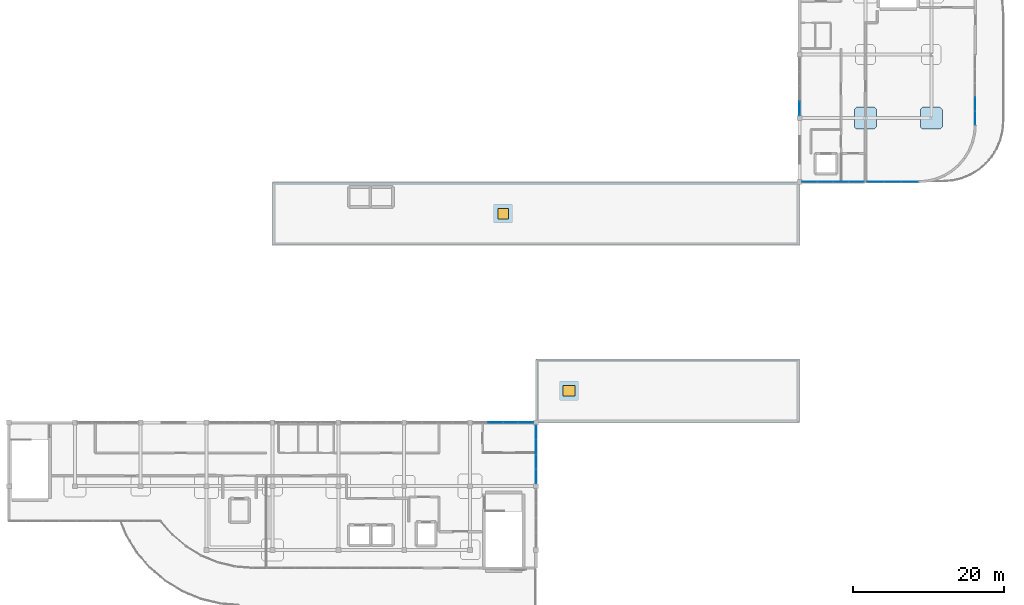
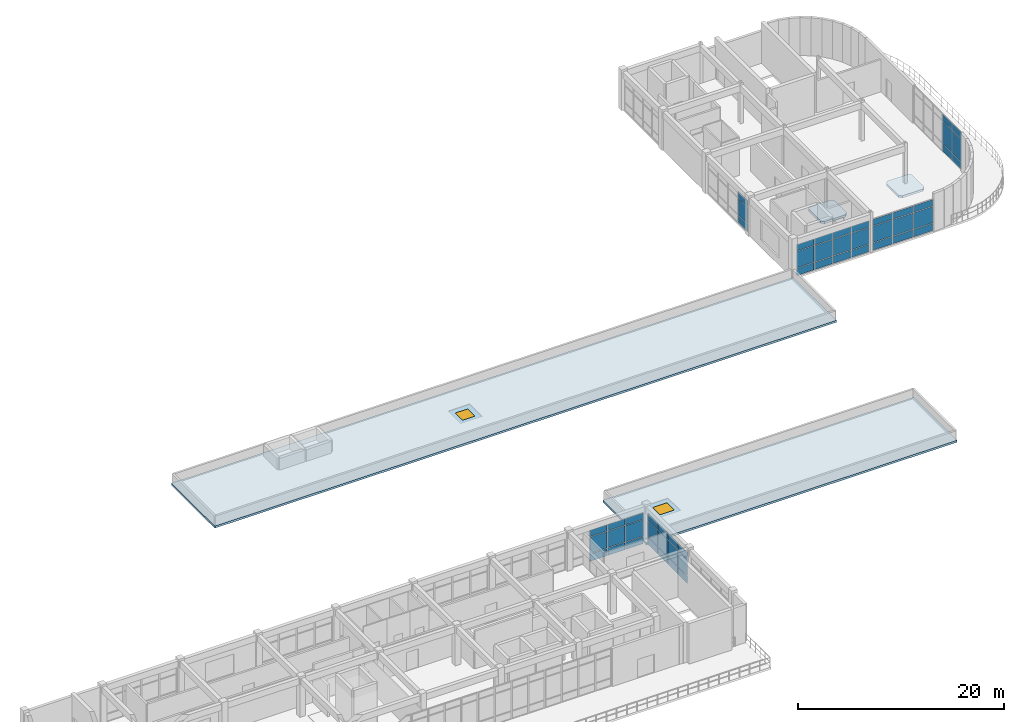
# One storey, part 34 of 41: 51 plates, 4 slabs, 2 windows, 2 openings, 6 elements without a shape of their own.
"""IFC4 building model written with IfcOpenShell, lengths in metres."""

from ifc_helpers import new_model, si_unit, derived_unit, direction, frame, origin, origin_2d, place, context, subcontext, project, spatial, polyline, rectangle, outline, extrude, material, layer, layer_set, type_object, element, fill, aggregate, save


model = new_model("IFC4")

# Units and contexts
model_context = context("Model", 3, precision=1e-05, world=origin(), true_north=direction((0.0, 1.0)))
body_context = subcontext(model_context, "Body", "Model", "MODEL_VIEW")
ifc_project = project(units=[si_unit("LENGTHUNIT", "METRE"), si_unit("AREAUNIT", "SQUARE_METRE"), si_unit("VOLUMEUNIT", "CUBIC_METRE"), si_unit("PLANEANGLEUNIT", "RADIAN"), si_unit("MASSUNIT", "GRAM", prefix="KILO"), derived_unit("THERMALTRANSMITTANCEUNIT", [(si_unit("MASSUNIT", "GRAM", prefix="KILO"), 1), (si_unit("TIMEUNIT", "SECOND"), -3), (si_unit("THERMODYNAMICTEMPERATUREUNIT", "KELVIN"), -1)])], contexts=[model_context])

# Site, building, storey
site_placement = place(None, origin())
site = spatial("IfcSite", under=ifc_project, at=site_placement, CompositionType="ELEMENT")
building_placement = place(site_placement, origin())
building = spatial("IfcBuilding", under=site, at=building_placement, Name="Qinzheling Arcade Emporium", CompositionType="ELEMENT")
storey_placement = place(building_placement, frame((0.0, 0.0, 36.300048828125)))
storey = spatial("IfcBuildingStorey", under=building, at=storey_placement, Name="L08", CompositionType="ELEMENT", Elevation=36.300048828125)

# Slabs
ifc_material_1 = material(Name="Concrete C40", Category="concrete")
ifc_layer_1 = layer(ifc_material_1, 0.27001953125, Name="Concrete C40", Category="concrete")
ifc_layer_set_1 = layer_set([ifc_layer_1], Name="Concrete C40")
slab_type_1 = type_object("IfcSlabType", Name="Column Head Drop Panel 2900x2900x270 C40", PredefinedType="USERDEFINED", material=ifc_layer_set_1)
slab_1_placement = place(storey_placement, frame((0.0, 0.0, -0.53515625)))
element("IfcSlab", 1, at=slab_1_placement, inside=storey, type_object=slab_type_1, Name="Column Drop Panel DP-L08-14-K", ObjectType="DROP_PANEL", PredefinedType="USERDEFINED", context=body_context, shape_type="SweptSolid", body=[
    extrude(outline(polyline([(111.929931640625, 80.75), (114.27001953125, 80.75), (114.550048828125, 81.030029296875), (114.550048828125, 83.3701171875), (114.27001953125, 83.64990234375), (111.929931640625, 83.64990234375), (111.64990234375, 83.3701171875), (111.64990234375, 81.030029296875), (111.929931640625, 80.75)])), origin(), (0.0, 0.0, 1.0), 0.27001953125),
])
slab_2_placement = place(storey_placement, frame((0.0, 0.0, -0.53515625)))
element("IfcSlab", 2, at=slab_2_placement, inside=storey, type_object=slab_type_1, Name="Column Drop Panel DP-L08-15-K", ObjectType="DROP_PANEL", PredefinedType="USERDEFINED", context=body_context, shape_type="SweptSolid", body=[
    extrude(outline(polyline([(120.6298828125, 80.75), (122.969970703125, 80.75), (123.25, 81.030029296875), (123.25, 83.3701171875), (122.969970703125, 83.64990234375), (120.6298828125, 83.64990234375), (120.35009765625, 83.3701171875), (120.35009765625, 81.030029296875), (120.6298828125, 80.75)])), origin(), (0.0, 0.0, 1.0), 0.27001953125),
])

# Slab, opening, window
ifc_layer_2 = layer(ifc_material_1, 0.239990234375, Name="Concrete C40", Category="concrete")
ifc_layer_set_2 = layer_set([ifc_layer_2], Name="Concrete C40")
slab_type_2 = type_object("IfcSlabType", Name="Insulated Flat Roof Slab 240 C40", PredefinedType="ROOF", material=ifc_layer_set_2)
slab_3_placement = place(storey_placement, frame((0.0, 0.0, -0.239990234375)))
slab_3 = element("IfcSlab", 3, at=slab_3_placement, inside=storey, type_object=slab_type_2, Name="Roof Slab SLB-RF-V2S", PredefinedType="ROOF", context=body_context, shape_type="SweptSolid", body=[
    extrude(outline(polyline([(104.39990234375, 42.0), (104.39990234375, 50.39990234375), (69.60009765625, 50.39990234375), (69.60009765625, 42.0), (104.39990234375, 42.0)])), origin(), (0.0, 0.0, 1.0), 0.239990234375),
])
opening_1_placement = place(slab_3_placement, frame((73.949951171875, 46.199951171875, -0.010009765625)))
opening_1 = element("IfcOpeningElement", 4, at=opening_1_placement, cuts=slab_3, Name="Opening RH02", PredefinedType="OPENING", context=body_context, shape_type="SweptSolid", body=[
    extrude(rectangle(XDim=1.60009765625, YDim=1.39990234375, at=origin_2d()), origin(), (0.0, 0.0, 1.0), 0.260009765625),
])
ifc_material_2 = material(Name="Insulated aluminium skylight hatch", Category="aluminium")
window_type_1 = type_object("IfcWindowType", Name="Insulated Roof Smoke and Access Hatch 1600x1400", PartitioningType="SINGLE_PANEL", PredefinedType="SKYLIGHT", material=ifc_material_2)
window_1_placement = place(opening_1_placement, frame((0.0, 0.0, 0.199951171875)))
window_1 = element("IfcWindow", 5, at=window_1_placement, inside=storey, type_object=window_type_1, Name="RH02 Roof Hatch RHT-L08-07", OverallHeight=1.39990234375, OverallWidth=1.60009765625, PartitioningType="SINGLE_PANEL", PredefinedType="SKYLIGHT", context=body_context, shape_type="SweptSolid", body=[
    extrude(rectangle(XDim=1.60009765625, YDim=1.39990234375, at=origin_2d()), origin(), (0.0, 0.0, 1.0), 0.050048828125),
])
fill(opening_1, window_1)

slab_4_placement = place(storey_placement, frame((0.0, 0.0, -0.239990234375)))
slab_4 = element("IfcSlab", 6, at=slab_4_placement, inside=storey, type_object=slab_type_2, Name="Roof Slab SLB-RF-V2N", PredefinedType="ROOF", context=body_context, shape_type="SweptSolid", body=[
    extrude(outline(polyline([(104.39990234375, 65.39990234375), (104.39990234375, 73.800048828125), (34.800048828125, 73.800048828125), (34.800048828125, 65.39990234375), (104.39990234375, 65.39990234375)])), origin(), (0.0, 0.0, 1.0), 0.239990234375),
])
opening_2_placement = place(slab_4_placement, frame((65.25, 69.60009765625, -0.010009765625)))
opening_2 = element("IfcOpeningElement", 7, at=opening_2_placement, cuts=slab_4, Name="Opening RH01", PredefinedType="OPENING", context=body_context, shape_type="SweptSolid", body=[
    extrude(rectangle(XDim=1.39990234375, YDim=1.39990234375, at=origin_2d()), origin(), (0.0, 0.0, 1.0), 0.260009765625),
])
window_type_2 = type_object("IfcWindowType", Name="Insulated Roof Smoke and Access Hatch 1400x1400", PartitioningType="SINGLE_PANEL", PredefinedType="SKYLIGHT", material=ifc_material_2)
window_2_placement = place(opening_2_placement, frame((0.0, 0.0, 0.199951171875)))
window_2 = element("IfcWindow", 8, at=window_2_placement, inside=storey, type_object=window_type_2, Name="RH01 Roof Hatch RHT-L08-08", OverallHeight=1.39990234375, OverallWidth=1.39990234375, PartitioningType="SINGLE_PANEL", PredefinedType="SKYLIGHT", context=body_context, shape_type="SweptSolid", body=[
    extrude(rectangle(XDim=1.39990234375, YDim=1.39990234375, at=origin_2d()), origin(), (0.0, 0.0, 1.0), 0.050048828125),
])
fill(opening_2, window_2)

# Curtain wall, plates
ifc_material_3 = material(Name="Anodised aluminium and solar-control double glazing", Category="aluminium")
ifc_layer_3 = layer(ifc_material_3, 0.159912109375, Name="Anodised aluminium and solar-control double glazing", Category="aluminium")
ifc_layer_set_3 = layer_set([ifc_layer_3], Name="Anodised aluminium and solar-control double glazing")
curtain_wall_type_1 = type_object("IfcCurtainWallType", Name="Arcade Portal Glazed Curtain Wall", PredefinedType="NOTDEFINED", material=ifc_layer_set_3)
curtain_wall_1_placement = place(storey_placement, origin())
curtain_wall_1 = element("IfcCurtainWall", 9, at=curtain_wall_1_placement, inside=storey, type_object=curtain_wall_type_1, Name="Curtain Wall CW-L08-443", PredefinedType="NOTDEFINED")
ifc_material_4 = material(Name="Laminated solar-control double glazing", Category="glass")
ifc_layer_4 = layer(ifc_material_4, 0.02392578125, Name="Laminated solar-control double glazing", Category="glass")
ifc_layer_set_4 = layer_set([ifc_layer_4], Name="Laminated solar-control double glazing")
plate_type_1 = type_object("IfcPlateType", Name="Low-E Double Glazed Curtain Panel 24mm", PredefinedType="CURTAIN_PANEL", material=ifc_layer_set_4)
plate_1_placement = place(storey_placement, frame((127.60009765625, 84.074462890625, 0.06005859375), z_axis=(0.0, 0.0, 1.0), x_axis=(0.0, -1.0, 0.0)))
plate_1 = element("IfcPlate", 10, at=plate_1_placement, type_object=plate_type_1, Name="CW05 panel 4.1", PredefinedType="CURTAIN_PANEL", context=body_context, shape_type="SweptSolid", body=[
    extrude(rectangle(XDim=1.78955078125, YDim=0.02392578125, at=origin_2d()), origin(), (0.0, 0.0, 1.0), 0.860107421875),
])
plate_2_placement = place(storey_placement, frame((127.60009765625, 84.074462890625, 0.97998046875), z_axis=(0.0, 0.0, 1.0), x_axis=(0.0, -1.0, 0.0)))
plate_2 = element("IfcPlate", 11, at=plate_2_placement, type_object=plate_type_1, Name="CW05 panel 4.2", PredefinedType="CURTAIN_PANEL", context=body_context, shape_type="SweptSolid", body=[
    extrude(rectangle(XDim=1.78955078125, YDim=0.02392578125, at=origin_2d()), origin(), (0.0, 0.0, 1.0), 2.6298828125),
])
plate_3_placement = place(storey_placement, frame((127.60009765625, 84.074462890625, 3.669921875), z_axis=(0.0, 0.0, 1.0), x_axis=(0.0, -1.0, 0.0)))
plate_3 = element("IfcPlate", 12, at=plate_3_placement, type_object=plate_type_1, Name="CW05 panel 4.3", PredefinedType="CURTAIN_PANEL", context=body_context, shape_type="SweptSolid", body=[
    extrude(rectangle(XDim=1.78955078125, YDim=0.02392578125, at=origin_2d()), origin(), (0.0, 0.0, 1.0), 0.760009765625),
])
plate_4_placement = place(storey_placement, frame((127.60009765625, 82.23974609375, 0.06005859375), z_axis=(0.0, 0.0, 1.0), x_axis=(0.0, -1.0, 0.0)))
plate_4 = element("IfcPlate", 13, at=plate_4_placement, type_object=plate_type_1, Name="CW05 panel 5.1", PredefinedType="CURTAIN_PANEL", context=body_context, shape_type="SweptSolid", body=[
    extrude(rectangle(XDim=1.759521484375, YDim=0.02392578125, at=origin_2d()), origin(), (0.0, 0.0, 1.0), 0.860107421875),
])
plate_5_placement = place(storey_placement, frame((127.60009765625, 82.23974609375, 0.97998046875), z_axis=(0.0, 0.0, 1.0), x_axis=(0.0, -1.0, 0.0)))
plate_5 = element("IfcPlate", 14, at=plate_5_placement, type_object=plate_type_1, Name="CW05 panel 5.2", PredefinedType="CURTAIN_PANEL", context=body_context, shape_type="SweptSolid", body=[
    extrude(rectangle(XDim=1.759521484375, YDim=0.02392578125, at=origin_2d()), origin(), (0.0, 0.0, 1.0), 2.6298828125),
])
plate_6_placement = place(storey_placement, frame((127.60009765625, 82.23974609375, 3.669921875), z_axis=(0.0, 0.0, 1.0), x_axis=(0.0, -1.0, 0.0)))
plate_6 = element("IfcPlate", 15, at=plate_6_placement, type_object=plate_type_1, Name="CW05 panel 5.3", PredefinedType="CURTAIN_PANEL", context=body_context, shape_type="SweptSolid", body=[
    extrude(rectangle(XDim=1.759521484375, YDim=0.02392578125, at=origin_2d()), origin(), (0.0, 0.0, 1.0), 0.760009765625),
])
aggregate(curtain_wall_1, [plate_1, plate_2, plate_3, plate_4, plate_5, plate_6])

curtain_wall_2_placement = place(storey_placement, origin())
curtain_wall_2 = element("IfcCurtainWall", 16, at=curtain_wall_2_placement, inside=storey, type_object=curtain_wall_type_1, Name="Curtain Wall CW-L08-444", PredefinedType="NOTDEFINED")
ifc_layer_5 = layer(ifc_material_4, 0.02490234375, Name="Laminated solar-control double glazing", Category="glass")
ifc_layer_set_5 = layer_set([ifc_layer_5], Name="Laminated solar-control double glazing")
plate_type_2 = type_object("IfcPlateType", Name="Low-E Double Glazed Curtain Panel 25mm", PredefinedType="CURTAIN_PANEL", material=ifc_layer_set_5)
plate_7_placement = place(storey_placement, frame((118.943603515625, 73.800048828125, 0.06005859375), z_axis=(0.0, 0.0, 1.0), x_axis=(-1.0, 0.0, 0.0)))
plate_7 = element("IfcPlate", 17, at=plate_7_placement, type_object=plate_type_2, Name="CW05 panel 1.1", PredefinedType="CURTAIN_PANEL", context=body_context, shape_type="SweptSolid", body=[
    extrude(rectangle(XDim=2.192626953125, YDim=0.02490234375, at=origin_2d()), origin(), (0.0, 0.0, 1.0), 0.860107421875),
])
plate_8_placement = place(storey_placement, frame((118.943603515625, 73.800048828125, 0.97998046875), z_axis=(0.0, 0.0, 1.0), x_axis=(-1.0, 0.0, 0.0)))
plate_8 = element("IfcPlate", 18, at=plate_8_placement, type_object=plate_type_2, Name="CW05 panel 1.2", PredefinedType="CURTAIN_PANEL", context=body_context, shape_type="SweptSolid", body=[
    extrude(rectangle(XDim=2.192626953125, YDim=0.02490234375, at=origin_2d()), origin(), (0.0, 0.0, 1.0), 1.93505859375),
])
plate_9_placement = place(storey_placement, frame((118.943603515625, 73.800048828125, 2.97509765625), z_axis=(0.0, 0.0, 1.0), x_axis=(-1.0, 0.0, 0.0)))
plate_9 = element("IfcPlate", 19, at=plate_9_placement, type_object=plate_type_2, Name="CW05 panel 1.3", PredefinedType="CURTAIN_PANEL", context=body_context, shape_type="SweptSolid", body=[
    extrude(rectangle(XDim=2.192626953125, YDim=0.02490234375, at=origin_2d()), origin(), (0.0, 0.0, 1.0), 0.760009765625),
])
plate_10_placement = place(storey_placement, frame((116.676025390625, 73.800048828125, 0.06005859375), z_axis=(0.0, 0.0, 1.0), x_axis=(-1.0, 0.0, 0.0)))
plate_10 = element("IfcPlate", 20, at=plate_10_placement, type_object=plate_type_2, Name="CW05 panel 2.1", PredefinedType="CURTAIN_PANEL", context=body_context, shape_type="SweptSolid", body=[
    extrude(rectangle(XDim=2.22265625, YDim=0.02490234375, at=origin_2d()), origin(), (0.0, 0.0, 1.0), 0.860107421875),
])
plate_11_placement = place(storey_placement, frame((116.676025390625, 73.800048828125, 0.97998046875), z_axis=(0.0, 0.0, 1.0), x_axis=(-1.0, 0.0, 0.0)))
plate_11 = element("IfcPlate", 21, at=plate_11_placement, type_object=plate_type_2, Name="CW05 panel 2.2", PredefinedType="CURTAIN_PANEL", context=body_context, shape_type="SweptSolid", body=[
    extrude(rectangle(XDim=2.22265625, YDim=0.02490234375, at=origin_2d()), origin(), (0.0, 0.0, 1.0), 1.93505859375),
])
plate_12_placement = place(storey_placement, frame((116.676025390625, 73.800048828125, 2.97509765625), z_axis=(0.0, 0.0, 1.0), x_axis=(-1.0, 0.0, 0.0)))
plate_12 = element("IfcPlate", 22, at=plate_12_placement, type_object=plate_type_2, Name="CW05 panel 2.3", PredefinedType="CURTAIN_PANEL", context=body_context, shape_type="SweptSolid", body=[
    extrude(rectangle(XDim=2.22265625, YDim=0.02490234375, at=origin_2d()), origin(), (0.0, 0.0, 1.0), 0.760009765625),
])
plate_13_placement = place(storey_placement, frame((114.408447265625, 73.800048828125, 0.06005859375), z_axis=(0.0, 0.0, 1.0), x_axis=(-1.0, 0.0, 0.0)))
plate_13 = element("IfcPlate", 23, at=plate_13_placement, type_object=plate_type_2, Name="CW05 panel 3.1", PredefinedType="CURTAIN_PANEL", context=body_context, shape_type="SweptSolid", body=[
    extrude(rectangle(XDim=2.192626953125, YDim=0.02490234375, at=origin_2d()), origin(), (0.0, 0.0, 1.0), 0.860107421875),
])
plate_14_placement = place(storey_placement, frame((114.408447265625, 73.800048828125, 0.97998046875), z_axis=(0.0, 0.0, 1.0), x_axis=(-1.0, 0.0, 0.0)))
plate_14 = element("IfcPlate", 24, at=plate_14_placement, type_object=plate_type_2, Name="CW05 panel 3.2", PredefinedType="CURTAIN_PANEL", context=body_context, shape_type="SweptSolid", body=[
    extrude(rectangle(XDim=2.192626953125, YDim=0.02490234375, at=origin_2d()), origin(), (0.0, 0.0, 1.0), 1.93505859375),
])
plate_15_placement = place(storey_placement, frame((114.408447265625, 73.800048828125, 2.97509765625), z_axis=(0.0, 0.0, 1.0), x_axis=(-1.0, 0.0, 0.0)))
plate_15 = element("IfcPlate", 25, at=plate_15_placement, type_object=plate_type_2, Name="CW05 panel 3.3", PredefinedType="CURTAIN_PANEL", context=body_context, shape_type="SweptSolid", body=[
    extrude(rectangle(XDim=2.192626953125, YDim=0.02490234375, at=origin_2d()), origin(), (0.0, 0.0, 1.0), 0.760009765625),
])
aggregate(curtain_wall_2, [plate_7, plate_8, plate_9, plate_10, plate_11, plate_12, plate_13, plate_14, plate_15])

curtain_wall_3_placement = place(storey_placement, origin())
curtain_wall_3 = element("IfcCurtainWall", 26, at=curtain_wall_3_placement, inside=storey, type_object=curtain_wall_type_1, Name="Curtain Wall CW-L08-445", PredefinedType="NOTDEFINED")
ifc_layer_6 = layer(ifc_material_4, 0.02587890625, Name="Laminated solar-control double glazing", Category="glass")
ifc_layer_set_6 = layer_set([ifc_layer_6], Name="Laminated solar-control double glazing")
plate_type_3 = type_object("IfcPlateType", Name="Low-E Double Glazed Curtain Panel 26mm", PredefinedType="CURTAIN_PANEL", material=ifc_layer_set_6)
plate_16_placement = place(storey_placement, frame((111.9052734375, 73.800048828125, 0.06005859375), z_axis=(0.0, 0.0, 1.0), x_axis=(-1.0, 0.0, 0.0)))
plate_16 = element("IfcPlate", 27, at=plate_16_placement, type_object=plate_type_3, Name="CW05 panel 1.1", PredefinedType="CURTAIN_PANEL", context=body_context, shape_type="SweptSolid", body=[
    extrude(rectangle(XDim=1.96533203125, YDim=0.02587890625, at=origin_2d()), origin(), (0.0, 0.0, 1.0), 0.860107421875),
])
plate_17_placement = place(storey_placement, frame((111.9052734375, 73.800048828125, 0.97998046875), z_axis=(0.0, 0.0, 1.0), x_axis=(-1.0, 0.0, 0.0)))
plate_17 = element("IfcPlate", 28, at=plate_17_placement, type_object=plate_type_3, Name="CW05 panel 1.2", PredefinedType="CURTAIN_PANEL", context=body_context, shape_type="SweptSolid", body=[
    extrude(rectangle(XDim=1.96533203125, YDim=0.02587890625, at=origin_2d()), origin(), (0.0, 0.0, 1.0), 1.93505859375),
])
plate_18_placement = place(storey_placement, frame((111.9052734375, 73.800048828125, 2.97509765625), z_axis=(0.0, 0.0, 1.0), x_axis=(-1.0, 0.0, 0.0)))
plate_18 = element("IfcPlate", 29, at=plate_18_placement, type_object=plate_type_3, Name="CW05 panel 1.3", PredefinedType="CURTAIN_PANEL", context=body_context, shape_type="SweptSolid", body=[
    extrude(rectangle(XDim=1.96533203125, YDim=0.02587890625, at=origin_2d()), origin(), (0.0, 0.0, 1.0), 0.760009765625),
])
plate_19_placement = place(storey_placement, frame((109.865234375, 73.800048828125, 0.06005859375), z_axis=(0.0, 0.0, 1.0), x_axis=(-1.0, 0.0, 0.0)))
plate_19 = element("IfcPlate", 30, at=plate_19_placement, type_object=plate_type_3, Name="CW05 panel 2.1", PredefinedType="CURTAIN_PANEL", context=body_context, shape_type="SweptSolid", body=[
    extrude(rectangle(XDim=1.995361328125, YDim=0.02587890625, at=origin_2d()), origin(), (0.0, 0.0, 1.0), 0.860107421875),
])
plate_20_placement = place(storey_placement, frame((109.865234375, 73.800048828125, 0.97998046875), z_axis=(0.0, 0.0, 1.0), x_axis=(-1.0, 0.0, 0.0)))
plate_20 = element("IfcPlate", 31, at=plate_20_placement, type_object=plate_type_3, Name="CW05 panel 2.2", PredefinedType="CURTAIN_PANEL", context=body_context, shape_type="SweptSolid", body=[
    extrude(rectangle(XDim=1.995361328125, YDim=0.02587890625, at=origin_2d()), origin(), (0.0, 0.0, 1.0), 1.93505859375),
])
plate_21_placement = place(storey_placement, frame((109.865234375, 73.800048828125, 2.97509765625), z_axis=(0.0, 0.0, 1.0), x_axis=(-1.0, 0.0, 0.0)))
plate_21 = element("IfcPlate", 32, at=plate_21_placement, type_object=plate_type_3, Name="CW05 panel 2.3", PredefinedType="CURTAIN_PANEL", context=body_context, shape_type="SweptSolid", body=[
    extrude(rectangle(XDim=1.995361328125, YDim=0.02587890625, at=origin_2d()), origin(), (0.0, 0.0, 1.0), 0.760009765625),
])
plate_22_placement = place(storey_placement, frame((107.809814453125, 73.800048828125, 0.06005859375), z_axis=(0.0, 0.0, 1.0), x_axis=(-1.0, 0.0, 0.0)))
plate_22 = element("IfcPlate", 33, at=plate_22_placement, type_object=plate_type_3, Name="CW05 panel 3.1", PredefinedType="CURTAIN_PANEL", context=body_context, shape_type="SweptSolid", body=[
    extrude(rectangle(XDim=1.995361328125, YDim=0.02587890625, at=origin_2d()), origin(), (0.0, 0.0, 1.0), 0.860107421875),
])
plate_23_placement = place(storey_placement, frame((107.809814453125, 73.800048828125, 0.97998046875), z_axis=(0.0, 0.0, 1.0), x_axis=(-1.0, 0.0, 0.0)))
plate_23 = element("IfcPlate", 34, at=plate_23_placement, type_object=plate_type_3, Name="CW05 panel 3.2", PredefinedType="CURTAIN_PANEL", context=body_context, shape_type="SweptSolid", body=[
    extrude(rectangle(XDim=1.995361328125, YDim=0.02587890625, at=origin_2d()), origin(), (0.0, 0.0, 1.0), 1.93505859375),
])
plate_24_placement = place(storey_placement, frame((107.809814453125, 73.800048828125, 2.97509765625), z_axis=(0.0, 0.0, 1.0), x_axis=(-1.0, 0.0, 0.0)))
plate_24 = element("IfcPlate", 35, at=plate_24_placement, type_object=plate_type_3, Name="CW05 panel 3.3", PredefinedType="CURTAIN_PANEL", context=body_context, shape_type="SweptSolid", body=[
    extrude(rectangle(XDim=1.995361328125, YDim=0.02587890625, at=origin_2d()), origin(), (0.0, 0.0, 1.0), 0.760009765625),
])
plate_25_placement = place(storey_placement, frame((105.76953125, 73.800048828125, 0.06005859375), z_axis=(0.0, 0.0, 1.0), x_axis=(-1.0, 0.0, 0.0)))
plate_25 = element("IfcPlate", 36, at=plate_25_placement, type_object=plate_type_3, Name="CW05 panel 4.1", PredefinedType="CURTAIN_PANEL", context=body_context, shape_type="SweptSolid", body=[
    extrude(rectangle(XDim=1.96533203125, YDim=0.02587890625, at=origin_2d()), origin(), (0.0, 0.0, 1.0), 0.860107421875),
])
plate_26_placement = place(storey_placement, frame((105.76953125, 73.800048828125, 0.97998046875), z_axis=(0.0, 0.0, 1.0), x_axis=(-1.0, 0.0, 0.0)))
plate_26 = element("IfcPlate", 37, at=plate_26_placement, type_object=plate_type_3, Name="CW05 panel 4.2", PredefinedType="CURTAIN_PANEL", context=body_context, shape_type="SweptSolid", body=[
    extrude(rectangle(XDim=1.96533203125, YDim=0.02587890625, at=origin_2d()), origin(), (0.0, 0.0, 1.0), 1.93505859375),
])
plate_27_placement = place(storey_placement, frame((105.76953125, 73.800048828125, 2.97509765625), z_axis=(0.0, 0.0, 1.0), x_axis=(-1.0, 0.0, 0.0)))
plate_27 = element("IfcPlate", 38, at=plate_27_placement, type_object=plate_type_3, Name="CW05 panel 4.3", PredefinedType="CURTAIN_PANEL", context=body_context, shape_type="SweptSolid", body=[
    extrude(rectangle(XDim=1.96533203125, YDim=0.02587890625, at=origin_2d()), origin(), (0.0, 0.0, 1.0), 0.760009765625),
])
aggregate(curtain_wall_3, [plate_16, plate_17, plate_18, plate_19, plate_20, plate_21, plate_22, plate_23, plate_24, plate_25, plate_26, plate_27])

curtain_wall_4_placement = place(storey_placement, origin())
curtain_wall_4 = element("IfcCurtainWall", 39, at=curtain_wall_4_placement, inside=storey, type_object=curtain_wall_type_1, Name="Curtain Wall CW-L08-446", PredefinedType="NOTDEFINED")
ifc_layer_7 = layer(ifc_material_4, 0.027099609375, Name="Laminated solar-control double glazing", Category="glass")
ifc_layer_set_7 = layer_set([ifc_layer_7], Name="Laminated solar-control double glazing")
plate_type_4 = type_object("IfcPlateType", Name="Low-E Double Glazed Curtain Panel 27mm", PredefinedType="CURTAIN_PANEL", material=ifc_layer_set_7)
plate_28_placement = place(storey_placement, frame((104.39990234375, 83.51025390625, 0.06005859375), z_axis=(0.0, 0.0, 1.0), x_axis=(0.0, 1.0, 0.0)))
plate_28 = element("IfcPlate", 40, at=plate_28_placement, type_object=plate_type_4, Name="CW05 panel 1.1", PredefinedType="CURTAIN_PANEL", context=body_context, shape_type="SweptSolid", body=[
    extrude(rectangle(XDim=1.846435546875, YDim=0.027099609375, at=origin_2d()), origin(), (0.0, 0.0, 1.0), 0.860107421875),
])
plate_29_placement = place(storey_placement, frame((104.39990234375, 83.51025390625, 0.97998046875), z_axis=(0.0, 0.0, 1.0), x_axis=(0.0, 1.0, 0.0)))
plate_29 = element("IfcPlate", 41, at=plate_29_placement, type_object=plate_type_4, Name="CW05 panel 1.2", PredefinedType="CURTAIN_PANEL", context=body_context, shape_type="SweptSolid", body=[
    extrude(rectangle(XDim=1.846435546875, YDim=0.027099609375, at=origin_2d()), origin(), (0.0, 0.0, 1.0), 1.93505859375),
])
plate_30_placement = place(storey_placement, frame((104.39990234375, 83.51025390625, 2.97509765625), z_axis=(0.0, 0.0, 1.0), x_axis=(0.0, 1.0, 0.0)))
plate_30 = element("IfcPlate", 42, at=plate_30_placement, type_object=plate_type_4, Name="CW05 panel 1.3", PredefinedType="CURTAIN_PANEL", context=body_context, shape_type="SweptSolid", body=[
    extrude(rectangle(XDim=1.846435546875, YDim=0.027099609375, at=origin_2d()), origin(), (0.0, 0.0, 1.0), 0.760009765625),
])
aggregate(curtain_wall_4, [plate_28, plate_29, plate_30])

curtain_wall_5_placement = place(storey_placement, origin())
curtain_wall_5 = element("IfcCurtainWall", 43, at=curtain_wall_5_placement, inside=storey, type_object=curtain_wall_type_1, Name="Curtain Wall CW-L08-448", PredefinedType="NOTDEFINED")
ifc_layer_8 = layer(ifc_material_4, 0.029052734375, Name="Laminated solar-control double glazing", Category="glass")
ifc_layer_set_8 = layer_set([ifc_layer_8], Name="Laminated solar-control double glazing")
plate_type_5 = type_object("IfcPlateType", Name="Low-E Double Glazed Curtain Panel 29mm", PredefinedType="CURTAIN_PANEL", material=ifc_layer_set_8)
plate_31_placement = place(storey_placement, frame((69.60009765625, 40.689697265625, 0.06005859375), z_axis=(0.0, 0.0, 1.0), x_axis=(0.0, -1.0, 0.0)))
plate_31 = element("IfcPlate", 44, at=plate_31_placement, type_object=plate_type_5, Name="CW05 panel 1.1", PredefinedType="CURTAIN_PANEL", context=body_context, shape_type="SweptSolid", body=[
    extrude(rectangle(XDim=1.846435546875, YDim=0.029052734375, at=origin_2d()), origin(), (0.0, 0.0, 1.0), 0.860107421875),
])
plate_32_placement = place(storey_placement, frame((69.60009765625, 40.689697265625, 0.97998046875), z_axis=(0.0, 0.0, 1.0), x_axis=(0.0, -1.0, 0.0)))
plate_32 = element("IfcPlate", 45, at=plate_32_placement, type_object=plate_type_5, Name="CW05 panel 1.2", PredefinedType="CURTAIN_PANEL", context=body_context, shape_type="SweptSolid", body=[
    extrude(rectangle(XDim=1.846435546875, YDim=0.029052734375, at=origin_2d()), origin(), (0.0, 0.0, 1.0), 1.93505859375),
])
plate_33_placement = place(storey_placement, frame((69.60009765625, 40.689697265625, 2.97509765625), z_axis=(0.0, 0.0, 1.0), x_axis=(0.0, -1.0, 0.0)))
plate_33 = element("IfcPlate", 46, at=plate_33_placement, type_object=plate_type_5, Name="CW05 panel 1.3", PredefinedType="CURTAIN_PANEL", context=body_context, shape_type="SweptSolid", body=[
    extrude(rectangle(XDim=1.846435546875, YDim=0.029052734375, at=origin_2d()), origin(), (0.0, 0.0, 1.0), 0.760009765625),
])
plate_34_placement = place(storey_placement, frame((69.60009765625, 38.768310546875, 0.06005859375), z_axis=(0.0, 0.0, 1.0), x_axis=(0.0, -1.0, 0.0)))
plate_34 = element("IfcPlate", 47, at=plate_34_placement, type_object=plate_type_5, Name="CW05 panel 2.1", PredefinedType="CURTAIN_PANEL", context=body_context, shape_type="SweptSolid", body=[
    extrude(rectangle(XDim=1.87646484375, YDim=0.029052734375, at=origin_2d()), origin(), (0.0, 0.0, 1.0), 0.860107421875),
])
plate_35_placement = place(storey_placement, frame((69.60009765625, 38.768310546875, 0.97998046875), z_axis=(0.0, 0.0, 1.0), x_axis=(0.0, -1.0, 0.0)))
plate_35 = element("IfcPlate", 48, at=plate_35_placement, type_object=plate_type_5, Name="CW05 panel 2.2", PredefinedType="CURTAIN_PANEL", context=body_context, shape_type="SweptSolid", body=[
    extrude(rectangle(XDim=1.87646484375, YDim=0.029052734375, at=origin_2d()), origin(), (0.0, 0.0, 1.0), 1.93505859375),
])
plate_36_placement = place(storey_placement, frame((69.60009765625, 38.768310546875, 2.97509765625), z_axis=(0.0, 0.0, 1.0), x_axis=(0.0, -1.0, 0.0)))
plate_36 = element("IfcPlate", 49, at=plate_36_placement, type_object=plate_type_5, Name="CW05 panel 2.3", PredefinedType="CURTAIN_PANEL", context=body_context, shape_type="SweptSolid", body=[
    extrude(rectangle(XDim=1.87646484375, YDim=0.029052734375, at=origin_2d()), origin(), (0.0, 0.0, 1.0), 0.760009765625),
])
plate_37_placement = place(storey_placement, frame((69.60009765625, 36.831787109375, 0.06005859375), z_axis=(0.0, 0.0, 1.0), x_axis=(0.0, -1.0, 0.0)))
plate_37 = element("IfcPlate", 50, at=plate_37_placement, type_object=plate_type_5, Name="CW05 panel 3.1", PredefinedType="CURTAIN_PANEL", context=body_context, shape_type="SweptSolid", body=[
    extrude(rectangle(XDim=1.87646484375, YDim=0.029052734375, at=origin_2d()), origin(), (0.0, 0.0, 1.0), 0.860107421875),
])
plate_38_placement = place(storey_placement, frame((69.60009765625, 36.831787109375, 0.97998046875), z_axis=(0.0, 0.0, 1.0), x_axis=(0.0, -1.0, 0.0)))
plate_38 = element("IfcPlate", 51, at=plate_38_placement, type_object=plate_type_5, Name="CW05 panel 3.2", PredefinedType="CURTAIN_PANEL", context=body_context, shape_type="SweptSolid", body=[
    extrude(rectangle(XDim=1.87646484375, YDim=0.029052734375, at=origin_2d()), origin(), (0.0, 0.0, 1.0), 1.93505859375),
])
plate_39_placement = place(storey_placement, frame((69.60009765625, 36.831787109375, 2.97509765625), z_axis=(0.0, 0.0, 1.0), x_axis=(0.0, -1.0, 0.0)))
plate_39 = element("IfcPlate", 52, at=plate_39_placement, type_object=plate_type_5, Name="CW05 panel 3.3", PredefinedType="CURTAIN_PANEL", context=body_context, shape_type="SweptSolid", body=[
    extrude(rectangle(XDim=1.87646484375, YDim=0.029052734375, at=origin_2d()), origin(), (0.0, 0.0, 1.0), 0.760009765625),
])
plate_40_placement = place(storey_placement, frame((69.60009765625, 34.91015625, 0.06005859375), z_axis=(0.0, 0.0, 1.0), x_axis=(0.0, -1.0, 0.0)))
plate_40 = element("IfcPlate", 53, at=plate_40_placement, type_object=plate_type_5, Name="CW05 panel 4.1", PredefinedType="CURTAIN_PANEL", context=body_context, shape_type="SweptSolid", body=[
    extrude(rectangle(XDim=1.846435546875, YDim=0.029052734375, at=origin_2d()), origin(), (0.0, 0.0, 1.0), 0.860107421875),
])
plate_41_placement = place(storey_placement, frame((69.60009765625, 34.91015625, 0.97998046875), z_axis=(0.0, 0.0, 1.0), x_axis=(0.0, -1.0, 0.0)))
plate_41 = element("IfcPlate", 54, at=plate_41_placement, type_object=plate_type_5, Name="CW05 panel 4.2", PredefinedType="CURTAIN_PANEL", context=body_context, shape_type="SweptSolid", body=[
    extrude(rectangle(XDim=1.846435546875, YDim=0.029052734375, at=origin_2d()), origin(), (0.0, 0.0, 1.0), 1.93505859375),
])
plate_42_placement = place(storey_placement, frame((69.60009765625, 34.91015625, 2.97509765625), z_axis=(0.0, 0.0, 1.0), x_axis=(0.0, -1.0, 0.0)))
plate_42 = element("IfcPlate", 55, at=plate_42_placement, type_object=plate_type_5, Name="CW05 panel 4.3", PredefinedType="CURTAIN_PANEL", context=body_context, shape_type="SweptSolid", body=[
    extrude(rectangle(XDim=1.846435546875, YDim=0.029052734375, at=origin_2d()), origin(), (0.0, 0.0, 1.0), 0.760009765625),
])
aggregate(curtain_wall_5, [plate_31, plate_32, plate_33, plate_34, plate_35, plate_36, plate_37, plate_38, plate_39, plate_40, plate_41, plate_42])

ifc_layer_9 = layer(ifc_material_3, 0.159912109375, Name="Anodised aluminium and solar-control double glazing", Category="aluminium")
ifc_layer_set_9 = layer_set([ifc_layer_9], Name="Anodised aluminium and solar-control double glazing")
curtain_wall_type_2 = type_object("IfcCurtainWallType", Name="Atrium Clerestory Curtain Wall", PredefinedType="NOTDEFINED", material=ifc_layer_set_9)
curtain_wall_6_placement = place(storey_placement, origin())
curtain_wall_6 = element("IfcCurtainWall", 56, at=curtain_wall_6_placement, inside=storey, type_object=curtain_wall_type_2, Name="Curtain Wall CW-L08-467", PredefinedType="NOTDEFINED")
ifc_layer_10 = layer(ifc_material_4, 0.031982421875, Name="Laminated solar-control double glazing", Category="glass")
ifc_layer_set_10 = layer_set([ifc_layer_10], Name="Laminated solar-control double glazing")
plate_type_6 = type_object("IfcPlateType", Name="Low-E Double Glazed Curtain Panel 32mm", PredefinedType="CURTAIN_PANEL", material=ifc_layer_set_10)
plate_43_placement = place(storey_placement, frame((64.244140625, 42.0, 0.06005859375), z_axis=(0.0, 0.0, 1.0), x_axis=(1.0, 0.0, 0.0)))
plate_43 = element("IfcPlate", 57, at=plate_43_placement, type_object=plate_type_6, Name="CW03 panel 2.1", PredefinedType="CURTAIN_PANEL", context=body_context, shape_type="SweptSolid", body=[
    extrude(rectangle(XDim=1.951416015625, YDim=0.031982421875, at=origin_2d()), origin(), (0.0, 0.0, 1.0), 0.860107421875),
])
plate_44_placement = place(storey_placement, frame((64.244140625, 42.0, 0.97998046875), z_axis=(0.0, 0.0, 1.0), x_axis=(1.0, 0.0, 0.0)))
plate_44 = element("IfcPlate", 58, at=plate_44_placement, type_object=plate_type_6, Name="CW03 panel 2.2", PredefinedType="CURTAIN_PANEL", context=body_context, shape_type="SweptSolid", body=[
    extrude(rectangle(XDim=1.951416015625, YDim=0.031982421875, at=origin_2d()), origin(), (0.0, 0.0, 1.0), 1.93505859375),
])
plate_45_placement = place(storey_placement, frame((64.244140625, 42.0, 2.97509765625), z_axis=(0.0, 0.0, 1.0), x_axis=(1.0, 0.0, 0.0)))
plate_45 = element("IfcPlate", 59, at=plate_45_placement, type_object=plate_type_6, Name="CW03 panel 2.3", PredefinedType="CURTAIN_PANEL", context=body_context, shape_type="SweptSolid", body=[
    extrude(rectangle(XDim=1.951416015625, YDim=0.031982421875, at=origin_2d()), origin(), (0.0, 0.0, 1.0), 0.760009765625),
])
plate_46_placement = place(storey_placement, frame((66.255859375, 42.0, 0.06005859375), z_axis=(0.0, 0.0, 1.0), x_axis=(1.0, 0.0, 0.0)))
plate_46 = element("IfcPlate", 60, at=plate_46_placement, type_object=plate_type_6, Name="CW03 panel 3.1", PredefinedType="CURTAIN_PANEL", context=body_context, shape_type="SweptSolid", body=[
    extrude(rectangle(XDim=1.951416015625, YDim=0.031982421875, at=origin_2d()), origin(), (0.0, 0.0, 1.0), 0.860107421875),
])
plate_47_placement = place(storey_placement, frame((66.255859375, 42.0, 0.97998046875), z_axis=(0.0, 0.0, 1.0), x_axis=(1.0, 0.0, 0.0)))
plate_47 = element("IfcPlate", 61, at=plate_47_placement, type_object=plate_type_6, Name="CW03 panel 3.2", PredefinedType="CURTAIN_PANEL", context=body_context, shape_type="SweptSolid", body=[
    extrude(rectangle(XDim=1.951416015625, YDim=0.031982421875, at=origin_2d()), origin(), (0.0, 0.0, 1.0), 1.93505859375),
])
plate_48_placement = place(storey_placement, frame((66.255859375, 42.0, 2.97509765625), z_axis=(0.0, 0.0, 1.0), x_axis=(1.0, 0.0, 0.0)))
plate_48 = element("IfcPlate", 62, at=plate_48_placement, type_object=plate_type_6, Name="CW03 panel 3.3", PredefinedType="CURTAIN_PANEL", context=body_context, shape_type="SweptSolid", body=[
    extrude(rectangle(XDim=1.951416015625, YDim=0.031982421875, at=origin_2d()), origin(), (0.0, 0.0, 1.0), 0.760009765625),
])
plate_49_placement = place(storey_placement, frame((68.252197265625, 42.0, 0.06005859375), z_axis=(0.0, 0.0, 1.0), x_axis=(1.0, 0.0, 0.0)))
plate_49 = element("IfcPlate", 63, at=plate_49_placement, type_object=plate_type_6, Name="CW03 panel 4.1", PredefinedType="CURTAIN_PANEL", context=body_context, shape_type="SweptSolid", body=[
    extrude(rectangle(XDim=1.92138671875, YDim=0.031982421875, at=origin_2d()), origin(), (0.0, 0.0, 1.0), 0.860107421875),
])
plate_50_placement = place(storey_placement, frame((68.252197265625, 42.0, 0.97998046875), z_axis=(0.0, 0.0, 1.0), x_axis=(1.0, 0.0, 0.0)))
plate_50 = element("IfcPlate", 64, at=plate_50_placement, type_object=plate_type_6, Name="CW03 panel 4.2", PredefinedType="CURTAIN_PANEL", context=body_context, shape_type="SweptSolid", body=[
    extrude(rectangle(XDim=1.92138671875, YDim=0.031982421875, at=origin_2d()), origin(), (0.0, 0.0, 1.0), 1.93505859375),
])
plate_51_placement = place(storey_placement, frame((68.252197265625, 42.0, 2.97509765625), z_axis=(0.0, 0.0, 1.0), x_axis=(1.0, 0.0, 0.0)))
plate_51 = element("IfcPlate", 65, at=plate_51_placement, type_object=plate_type_6, Name="CW03 panel 4.3", PredefinedType="CURTAIN_PANEL", context=body_context, shape_type="SweptSolid", body=[
    extrude(rectangle(XDim=1.92138671875, YDim=0.031982421875, at=origin_2d()), origin(), (0.0, 0.0, 1.0), 0.760009765625),
])
aggregate(curtain_wall_6, [plate_43, plate_44, plate_45, plate_46, plate_47, plate_48, plate_49, plate_50, plate_51])

save(model, "model.ifc")
